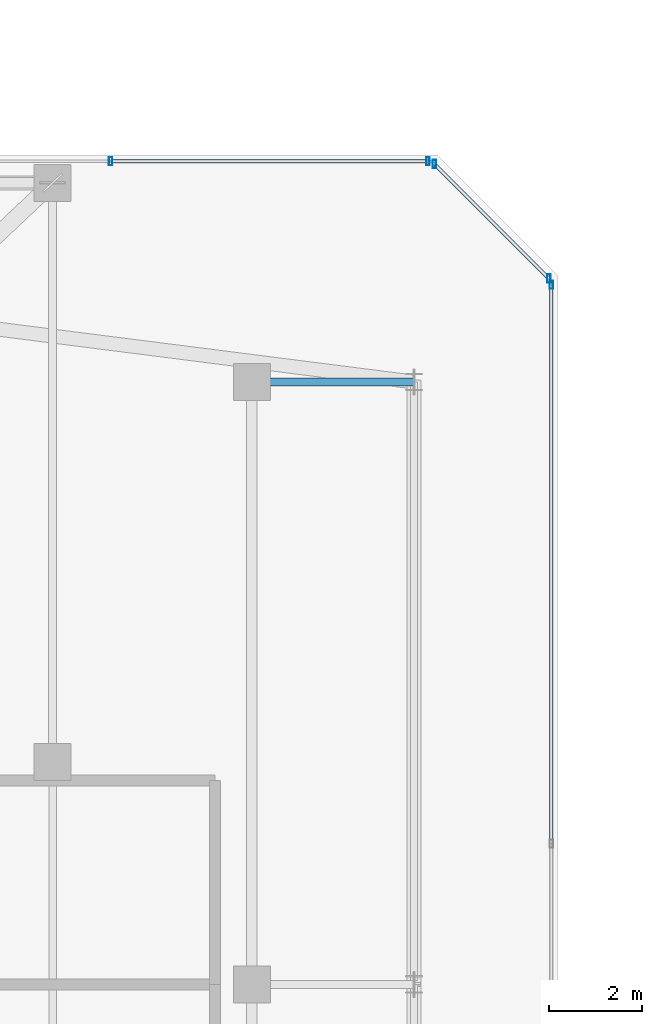
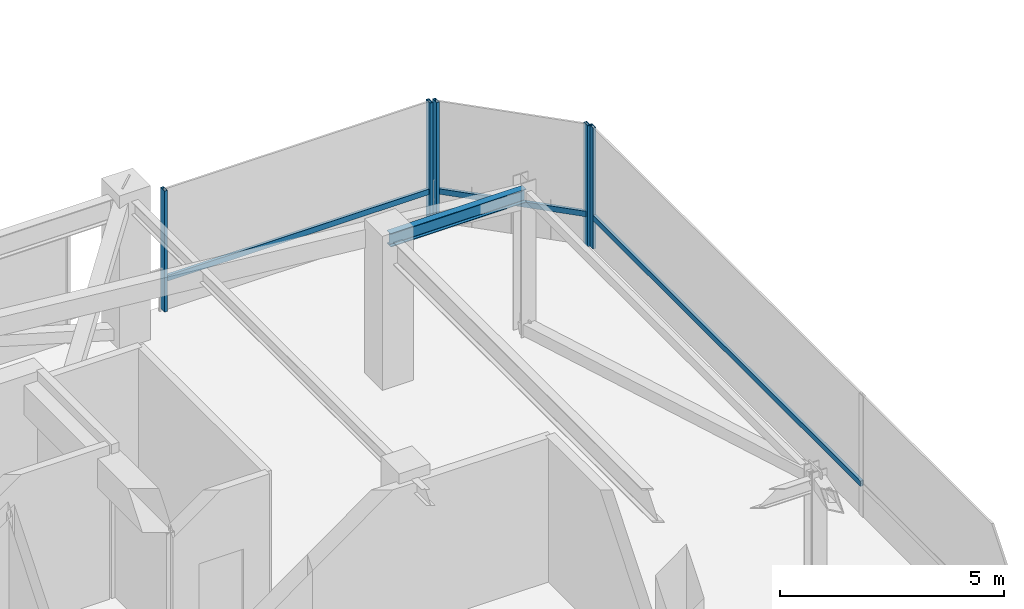
# One storey, part 23 of 47: 8 members, 1 beam, 3 elements without a shape of their own.
"""IFC4 building model written with IfcOpenShell, lengths in metres."""

import ifcopenshell
import ifcopenshell.guid

model = None  # the IFC model being written
_history = None  # IfcOwnerHistory: only IFC2X3 demands one
_inside = {}  # id of a spatial element -> (the spatial element, [elements in it])
_under = {}  # id of a project, library or spatial element -> (it, [spatial elements below it])
_declared = {}  # id of a project -> (the project, [libraries it declares])
_typed = {}  # id of a type object -> (the type object, [elements of that type])
_made_of = {}  # id of a material, layer set ... -> (it, [elements and type objects made of it])


def new_model(schema):
    """Start an empty IFC model of exactly this schema.

    Asked for "IFC4X3", IfcOpenShell would pick the latest addendum, in which some entities
    have other attributes; the version numbers below select the first issue.
    IFC2X3 requires an IfcOwnerHistory on every rooted entity: one is made here for all.
    """
    global model, _history
    if schema == "IFC4X3":
        model = ifcopenshell.file(schema_version=(4, 3, 0, 0))
    else:
        model = ifcopenshell.file(schema=schema)
    _inside.clear()
    _under.clear()
    _declared.clear()
    _typed.clear()
    _made_of.clear()
    _history = None
    if model.schema == "IFC2X3":
        org = make("IfcOrganization", Name="unknown")
        user = make(
            "IfcPersonAndOrganization",
            ThePerson=make("IfcPerson", FamilyName="unknown"),
            TheOrganization=org,
        )
        app = make(
            "IfcApplication",
            ApplicationDeveloper=org,
            Version="unknown",
            ApplicationFullName="unknown",
            ApplicationIdentifier="unknown",
        )
        _history = make(
            "IfcOwnerHistory",
            OwningUser=user,
            OwningApplication=app,
            ChangeAction="ADDED",
            CreationDate=0,
        )
    return model


def make(cls, **values):
    """One entity of the class cls with the attributes given. An attribute that is None is left unset."""
    return model.create_entity(
        cls, **{name: value for name, value in values.items() if value is not None}
    )


def rooted(cls, **values):
    """An entity with a GlobalId (a new one), such as an element, a storey or a relation."""
    return make(cls, GlobalId=ifcopenshell.guid.new(), OwnerHistory=_history, **values)


def si_unit(unit_type, name, prefix=None):
    """IfcSIUnit, for example si_unit("LENGTHUNIT", "METRE", prefix="MILLI")."""
    return make("IfcSIUnit", UnitType=unit_type, Prefix=prefix, Name=name)


def assignment(units):
    """IfcUnitAssignment: the units of a project."""
    return None if units is None else make("IfcUnitAssignment", Units=units)


def point(xyz):
    """IfcCartesianPoint."""
    return None if xyz is None else make("IfcCartesianPoint", Coordinates=xyz)


def direction(xyz):
    """IfcDirection."""
    return None if xyz is None else make("IfcDirection", DirectionRatios=xyz)


def frame(location, z_axis=None, x_axis=None):
    """IfcAxis2Placement3D, a coordinate frame: its origin and axes. An axis left out is left unset."""
    return make(
        "IfcAxis2Placement3D",
        Location=point(location),
        Axis=direction(z_axis),
        RefDirection=direction(x_axis),
    )


def frame_2d(location, x_axis=None):
    """IfcAxis2Placement2D, a coordinate frame in the plane: its origin and x axis."""
    return make(
        "IfcAxis2Placement2D", Location=point(location), RefDirection=direction(x_axis)
    )


def origin():
    """The frame at (0, 0, 0) with its axes left unset."""
    return frame((0.0, 0.0, 0.0))


def origin_2d():
    """The frame at (0, 0) in the plane with its x axis left unset."""
    return frame_2d((0.0, 0.0))


def place(relative_to, where):
    """IfcLocalPlacement: puts the frame where relative to a parent placement (None: the world)."""
    return make(
        "IfcLocalPlacement", PlacementRelTo=relative_to, RelativePlacement=where
    )


def context(
    kind, dimensions, precision=None, world=None, true_north=None, identifier=None
):
    """IfcGeometricRepresentationContext, for example the 3D "Model" context."""
    return make(
        "IfcGeometricRepresentationContext",
        ContextIdentifier=identifier,
        ContextType=kind,
        CoordinateSpaceDimension=dimensions,
        Precision=precision,
        WorldCoordinateSystem=world,
        TrueNorth=true_north,
    )


def subcontext(parent, identifier, kind, view, scale=None):
    """IfcGeometricRepresentationSubContext, for example "Body" below "Model"."""
    return make(
        "IfcGeometricRepresentationSubContext",
        ContextIdentifier=identifier,
        ContextType=kind,
        ParentContext=parent,
        TargetScale=scale,
        TargetView=view,
    )


def project(units=None, contexts=None):
    """IfcProject with its units and contexts."""
    return rooted(
        "IfcProject",
        Name="project",
        RepresentationContexts=contexts,
        UnitsInContext=assignment(units),
    )


def spatial(cls, under=None, at=None, **own):
    """A site, building, storey or space (cls), placed at a placement, below another one or the project."""
    s = rooted(cls, ObjectPlacement=at, **own)
    if under is not None:
        _under.setdefault(under.id(), (under, []))[1].append(s)
    return s


def profile(cls, at=None, kind="AREA", **sizes):
    """A parametric profile (cls). Its sizes go by their IFC names, for example OverallWidth=200.0."""
    return make(cls, ProfileType=kind, Position=at, **sizes)


def hollow_rectangle(**sizes):
    """IfcRectangleHollowProfileDef."""
    return profile("IfcRectangleHollowProfileDef", **sizes)


def i_section(**sizes):
    """IfcIShapeProfileDef."""
    return profile("IfcIShapeProfileDef", **sizes)


def extrude(swept, where, along, depth):
    """IfcExtrudedAreaSolid: the profile swept, set in the frame where, extruded along a direction by depth."""
    return make(
        "IfcExtrudedAreaSolid",
        SweptArea=swept,
        Position=where,
        ExtrudedDirection=direction(along),
        Depth=depth,
    )


def shape(context_of_items, identifier, shape_type, items):
    """IfcShapeRepresentation: the items that make up one representation, for example the "Body"."""
    return make(
        "IfcShapeRepresentation",
        ContextOfItems=context_of_items,
        RepresentationIdentifier=identifier,
        RepresentationType=shape_type,
        Items=items,
    )


def material(Name=None, Category=None):
    """IfcMaterial."""
    return make("IfcMaterial", Name=Name, Category=Category)


def material_profile(
    of_material, cross_section, Name=None, Category=None, Priority=None
):
    """IfcMaterialProfile: a cross section and its material."""
    return make(
        "IfcMaterialProfile",
        Name=Name,
        Material=of_material,
        Profile=cross_section,
        Priority=Priority,
        Category=Category,
    )


def profile_set(profiles, Name=None, composite=None):
    """IfcMaterialProfileSet."""
    return make(
        "IfcMaterialProfileSet",
        Name=Name,
        MaterialProfiles=profiles,
        CompositeProfile=composite,
    )


def made_of(thing, what):
    """Note that an element or type object is made of a material, layer set ...; save() writes the relation."""
    if what is not None:
        _made_of.setdefault(what.id(), (what, []))[1].append(thing)
    return thing


def type_object(cls, material=None, **own):
    """A type object (cls), such as IfcWallType, which elements share."""
    return made_of(rooted(cls, **own), material)


def element(
    cls,
    number,
    at=None,
    inside=None,
    cuts=None,
    type_object=None,
    material=None,
    context=None,
    identifier="Body",
    shape_type=None,
    held_by="IfcProductDefinitionShape",
    body=None,
    shapes=None,
    **own,
):
    """One element of the class cls, such as IfcWall. Its Tag is "e" and its number.

    at: its placement. inside: the storey or other place that contains it. cuts: it is an
    opening in that element (IfcRelVoidsElement). A single representation is given by context,
    identifier, shape_type and body (its items); several are given by shapes. held_by: the class
    of the entity that holds the representations. save() writes the other relations.
    """
    e = rooted(cls, Tag="e%d" % number, ObjectPlacement=at, **own)
    if body is not None:
        shapes = [shape(context, identifier, shape_type, body)]
    if shapes is not None:
        e.Representation = make(held_by, Representations=shapes)
    if inside is not None:
        _inside.setdefault(inside.id(), (inside, []))[1].append(e)
    if cuts is not None:
        rooted(
            "IfcRelVoidsElement", RelatingBuildingElement=cuts, RelatedOpeningElement=e
        )
    if type_object is not None:
        _typed.setdefault(type_object.id(), (type_object, []))[1].append(e)
    return made_of(e, material)


def aggregate(whole, parts):
    """IfcRelAggregates: a whole, such as a stair, and the parts it consists of."""
    return rooted("IfcRelAggregates", RelatingObject=whole, RelatedObjects=parts)


def save(model, path):
    """Write the relations noted so far, then the file.

    IfcRelAggregates (storeys below a building ...), IfcRelContainedInSpatialStructure (elements
    in a storey), IfcRelDefinesByType, IfcRelAssociatesMaterial and IfcRelDeclares: one each for
    every whole, place, type object, material and project.
    """
    for whole, parts in _under.values():
        aggregate(whole, parts)
    for where, things in _inside.values():
        rooted(
            "IfcRelContainedInSpatialStructure",
            RelatedElements=things,
            RelatingStructure=where,
        )
    for kind, things in _typed.values():
        rooted("IfcRelDefinesByType", RelatedObjects=things, RelatingType=kind)
    for what, things in _made_of.values():
        rooted("IfcRelAssociatesMaterial", RelatedObjects=things, RelatingMaterial=what)
    for by, libraries in _declared.values():
        rooted("IfcRelDeclares", RelatingContext=by, RelatedDefinitions=libraries)
    model.write(path)


model = new_model("IFC4")

# Units and contexts
model_context = context("Model", 3, precision=1e-05, world=origin(), true_north=direction((0.0, 1.0)))
body_context = subcontext(model_context, "Body", "Model", "MODEL_VIEW")
ifc_project = project(units=[si_unit("LENGTHUNIT", "METRE"), si_unit("AREAUNIT", "SQUARE_METRE"), si_unit("VOLUMEUNIT", "CUBIC_METRE"), si_unit("PLANEANGLEUNIT", "RADIAN"), si_unit("MASSUNIT", "GRAM", prefix="KILO")], contexts=[model_context])

# Site, building, storey
site_placement = place(None, origin())
site = spatial("IfcSite", under=ifc_project, at=site_placement, CompositionType="ELEMENT")
building_placement = place(site_placement, origin())
building = spatial("IfcBuilding", under=site, at=building_placement, Name="Thornwick Lancets Civic Towers", CompositionType="ELEMENT")
storey_placement = place(building_placement, frame((0.0, 0.0, 279.89990234375)))
storey = spatial("IfcBuildingStorey", under=building, at=storey_placement, Name="C01", CompositionType="ELEMENT", Elevation=279.89990234375)

# Beam
ifc_material_1 = material(Name="Steel S355JR", Category="steel")
ifc_material_profile_1 = material_profile(ifc_material_1, i_section(OverallWidth=0.173095703125, OverallDepth=0.36328125, WebThickness=0.009033203125, FlangeThickness=0.015625, FilletRadius=0.01025390625, at=origin_2d()), Name="UKB 356x171x67")
ifc_profile_set_1 = profile_set([ifc_material_profile_1], Name="Steel S355JR")
beam_type = type_object("IfcBeamType", Name="BM_JOIST_356_67", PredefinedType="JOIST", material=ifc_profile_set_1)
beam_placement = place(storey_placement, frame((42.800048828125, 40.0, 3.75830078125), z_axis=(1.0, 0.0, 0.0), x_axis=(0.0, 1.0, 0.0)))
element("IfcBeam", 1, at=beam_placement, inside=storey, type_object=beam_type, Name="BM-RAD-C01-A06", PredefinedType="JOIST", context=body_context, shape_type="SweptSolid", body=[
    extrude(i_section(OverallWidth=0.173095703125, OverallDepth=0.36328125, WebThickness=0.009033203125, FlangeThickness=0.015625, FilletRadius=0.01025390625, at=origin_2d()), origin(), (0.0, 0.0, 1.0), 3.5),
])

# Curtain wall, member
ifc_material_2 = material(Name="Crown ring acoustic-louvre and glazing screen wall", Category="glass")
curtain_wall_type = type_object("IfcCurtainWallType", Name="CW_SYS_07", PredefinedType="NOTDEFINED", material=ifc_material_2)
curtain_wall_1_placement = place(storey_placement, origin())
curtain_wall_1 = element("IfcCurtainWall", 2, at=curtain_wall_1_placement, inside=storey, type_object=curtain_wall_type, Name="C01 Curtain Wall CW-C01-A-E2", PredefinedType="NOTDEFINED")
ifc_material_3 = material(Name="Thermally broken bronze aluminium S355", Category="steel")
ifc_material_profile_2 = material_profile(ifc_material_3, hollow_rectangle(XDim=0.074951171875, YDim=0.179931640625, WallThickness=0.006103515625, at=origin_2d()), Name="RHS 180x75x6")
ifc_profile_set_2 = profile_set([ifc_material_profile_2], Name="Thermally broken bronze aluminium S355")
member_type_1 = type_object("IfcMemberType", Name="CW_MUL_180", PredefinedType="MULLION", material=ifc_profile_set_2)
member_1_placement = place(storey_placement, frame((49.2646484375, 42.101318359375, 0.0), z_axis=(0.0, 0.0, 1.0), x_axis=(1.0, 0.0, 0.0)))
member_1 = element("IfcMember", 3, at=member_1_placement, type_object=member_type_1, Name="CW-C01-A-E2 Mullion 3", PredefinedType="MULLION", context=body_context, shape_type="SweptSolid", body=[
    extrude(hollow_rectangle(XDim=0.074951171875, YDim=0.179931640625, WallThickness=0.006103515625, at=origin_2d()), origin(), (0.0, 0.0, 1.0), 3.300048828125),
])

# Curtain wall, members
curtain_wall_2_placement = place(storey_placement, origin())
curtain_wall_2 = element("IfcCurtainWall", 4, at=curtain_wall_2_placement, inside=storey, type_object=curtain_wall_type, Name="C01 Curtain Wall CW-C01-A-E3", PredefinedType="NOTDEFINED")
member_2_placement = place(storey_placement, frame((49.2080078125, 42.238037109375, 0.0), z_axis=(0.0, 0.0, 1.0), x_axis=(1.0, 0.0, 0.0)))
member_2 = element("IfcMember", 5, at=member_2_placement, type_object=member_type_1, Name="CW-C01-A-E3 Mullion 0", PredefinedType="MULLION", context=body_context, shape_type="SweptSolid", body=[
    extrude(hollow_rectangle(XDim=0.074951171875, YDim=0.179931640625, WallThickness=0.006103515625, at=origin_2d()), origin(), (0.0, 0.0, 1.0), 3.300048828125),
])
member_3_placement = place(storey_placement, frame((46.738037109375, 44.7080078125, 0.0), z_axis=(0.0, 0.0, 1.0), x_axis=(1.0, 0.0, 0.0)))
member_3 = element("IfcMember", 6, at=member_3_placement, type_object=member_type_1, Name="CW-C01-A-E3 Mullion 1", PredefinedType="MULLION", context=body_context, shape_type="SweptSolid", body=[
    extrude(hollow_rectangle(XDim=0.074951171875, YDim=0.179931640625, WallThickness=0.006103515625, at=origin_2d()), origin(), (0.0, 0.0, 1.0), 3.300048828125),
])

curtain_wall_3_placement = place(storey_placement, origin())
curtain_wall_3 = element("IfcCurtainWall", 7, at=curtain_wall_3_placement, inside=storey, type_object=curtain_wall_type, Name="C01 Curtain Wall CW-C01-A-E4-S1", PredefinedType="NOTDEFINED")
member_4_placement = place(storey_placement, frame((46.601318359375, 44.7646484375, 0.0), z_axis=(0.0, 0.0, 1.0), x_axis=(1.0, 0.0, 0.0)))
member_4 = element("IfcMember", 8, at=member_4_placement, type_object=member_type_1, Name="CW-C01-A-E4-S1 Mullion 0", PredefinedType="MULLION", context=body_context, shape_type="SweptSolid", body=[
    extrude(hollow_rectangle(XDim=0.074951171875, YDim=0.179931640625, WallThickness=0.006103515625, at=origin_2d()), origin(), (0.0, 0.0, 1.0), 3.300048828125),
])
member_5_placement = place(storey_placement, frame((39.75, 44.7646484375, 0.0), z_axis=(0.0, 0.0, 1.0), x_axis=(1.0, 0.0, 0.0)))
member_5 = element("IfcMember", 9, at=member_5_placement, type_object=member_type_1, Name="CW-C01-A-E4-S1 Mullion 1", PredefinedType="MULLION", context=body_context, shape_type="SweptSolid", body=[
    extrude(hollow_rectangle(XDim=0.074951171875, YDim=0.179931640625, WallThickness=0.006103515625, at=origin_2d()), origin(), (0.0, 0.0, 1.0), 3.300048828125),
])

# Member
ifc_material_profile_3 = material_profile(ifc_material_3, hollow_rectangle(XDim=0.074951171875, YDim=0.14990234375, WallThickness=0.0048828125, at=origin_2d()), Name="RHS 150x75x5")
ifc_profile_set_3 = profile_set([ifc_material_profile_3], Name="Thermally broken bronze aluminium S355")
member_type_2 = type_object("IfcMemberType", Name="CW_TRN_150", PredefinedType="USERDEFINED", material=ifc_profile_set_3)
member_6_placement = place(storey_placement, frame((49.2646484375, 30.0537109375, 0.85009765625), z_axis=(0.0, 1.0, 0.0), x_axis=(-1.0, 0.0, 0.0)))
member_6 = element("IfcMember", 10, at=member_6_placement, type_object=member_type_2, Name="CW-C01-A-E2 Transom 2", ObjectType="TRANSOM", PredefinedType="USERDEFINED", context=body_context, shape_type="SweptSolid", body=[
    extrude(hollow_rectangle(XDim=0.074951171875, YDim=0.14990234375, WallThickness=0.0048828125, at=origin_2d()), origin(), (0.0, 0.0, 1.0), 12.027587890625),
])

aggregate(curtain_wall_1, [member_1, member_6])

member_7_placement = place(storey_placement, frame((49.19384765625, 42.252197265625, 0.85009765625), z_axis=(-0.707106781187, 0.707106781187, 0.0), x_axis=(-0.707106781187, -0.707106781187, 0.0)))
member_7 = element("IfcMember", 11, at=member_7_placement, type_object=member_type_2, Name="CW-C01-A-E3 Transom 0", ObjectType="TRANSOM", PredefinedType="USERDEFINED", context=body_context, shape_type="SweptSolid", body=[
    extrude(hollow_rectangle(XDim=0.074951171875, YDim=0.14990234375, WallThickness=0.0048828125, at=origin_2d()), origin(), (0.0, 0.0, 1.0), 3.453125),
])

aggregate(curtain_wall_2, [member_2, member_3, member_7])

member_8_placement = place(storey_placement, frame((46.581298828125, 44.7646484375, 0.85009765625), z_axis=(-1.0, 0.0, 0.0), x_axis=(0.0, -1.0, 0.0)))
member_8 = element("IfcMember", 12, at=member_8_placement, type_object=member_type_2, Name="CW-C01-A-E4-S1 Transom 0", ObjectType="TRANSOM", PredefinedType="USERDEFINED", context=body_context, shape_type="SweptSolid", body=[
    extrude(hollow_rectangle(XDim=0.074951171875, YDim=0.14990234375, WallThickness=0.0048828125, at=origin_2d()), origin(), (0.0, 0.0, 1.0), 6.811279296875),
])

aggregate(curtain_wall_3, [member_4, member_5, member_8])

save(model, "model.ifc")
